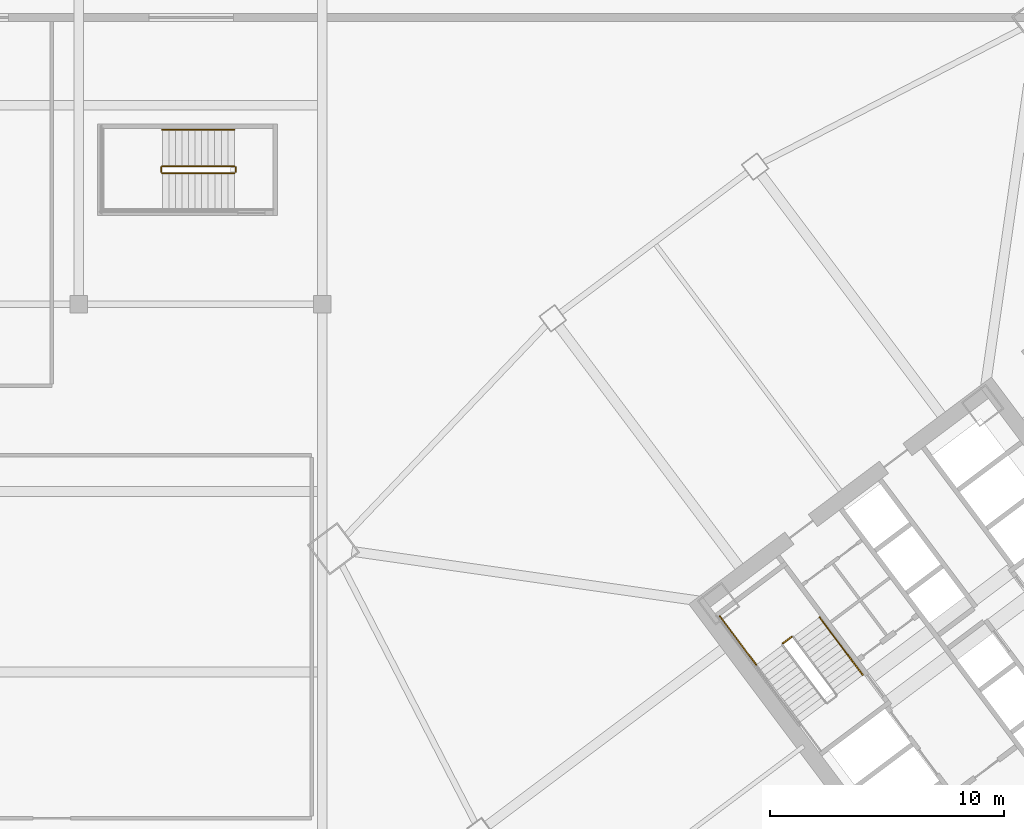
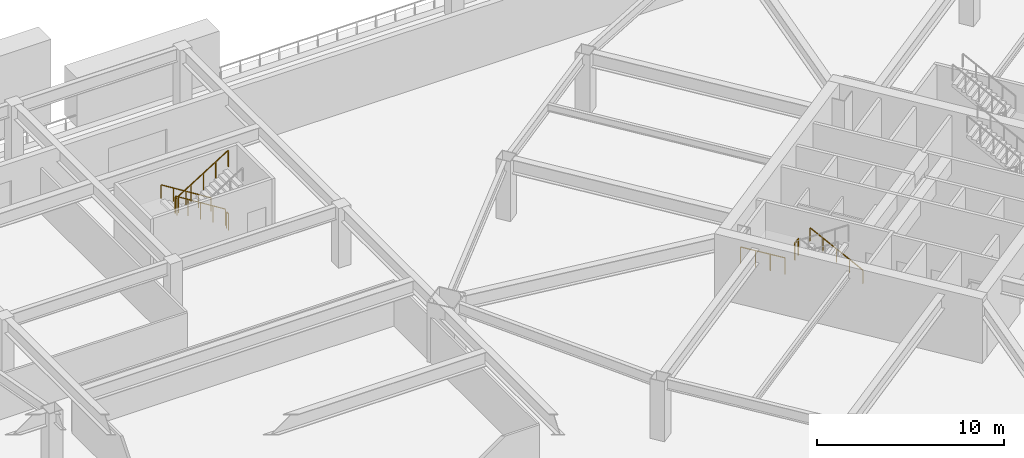
# One storey, part 18 of 20: 8 railings.
"""IFC4 building model written with IfcOpenShell, lengths in metres."""

import ifcopenshell
import ifcopenshell.guid

model = None  # the IFC model being written
_history = None  # IfcOwnerHistory: only IFC2X3 demands one
_inside = {}  # id of a spatial element -> (the spatial element, [elements in it])
_under = {}  # id of a project, library or spatial element -> (it, [spatial elements below it])
_declared = {}  # id of a project -> (the project, [libraries it declares])
_typed = {}  # id of a type object -> (the type object, [elements of that type])
_made_of = {}  # id of a material, layer set ... -> (it, [elements and type objects made of it])


def new_model(schema):
    """Start an empty IFC model of exactly this schema.

    Asked for "IFC4X3", IfcOpenShell would pick the latest addendum, in which some entities
    have other attributes; the version numbers below select the first issue.
    IFC2X3 requires an IfcOwnerHistory on every rooted entity: one is made here for all.
    """
    global model, _history
    if schema == "IFC4X3":
        model = ifcopenshell.file(schema_version=(4, 3, 0, 0))
    else:
        model = ifcopenshell.file(schema=schema)
    _inside.clear()
    _under.clear()
    _declared.clear()
    _typed.clear()
    _made_of.clear()
    _history = None
    if model.schema == "IFC2X3":
        org = make("IfcOrganization", Name="unknown")
        user = make(
            "IfcPersonAndOrganization",
            ThePerson=make("IfcPerson", FamilyName="unknown"),
            TheOrganization=org,
        )
        app = make(
            "IfcApplication",
            ApplicationDeveloper=org,
            Version="unknown",
            ApplicationFullName="unknown",
            ApplicationIdentifier="unknown",
        )
        _history = make(
            "IfcOwnerHistory",
            OwningUser=user,
            OwningApplication=app,
            ChangeAction="ADDED",
            CreationDate=0,
        )
    return model


def make(cls, **values):
    """One entity of the class cls with the attributes given. An attribute that is None is left unset."""
    return model.create_entity(
        cls, **{name: value for name, value in values.items() if value is not None}
    )


def rooted(cls, **values):
    """An entity with a GlobalId (a new one), such as an element, a storey or a relation."""
    return make(cls, GlobalId=ifcopenshell.guid.new(), OwnerHistory=_history, **values)


def si_unit(unit_type, name, prefix=None):
    """IfcSIUnit, for example si_unit("LENGTHUNIT", "METRE", prefix="MILLI")."""
    return make("IfcSIUnit", UnitType=unit_type, Prefix=prefix, Name=name)


def assignment(units):
    """IfcUnitAssignment: the units of a project."""
    return None if units is None else make("IfcUnitAssignment", Units=units)


def point(xyz):
    """IfcCartesianPoint."""
    return None if xyz is None else make("IfcCartesianPoint", Coordinates=xyz)


def direction(xyz):
    """IfcDirection."""
    return None if xyz is None else make("IfcDirection", DirectionRatios=xyz)


def frame(location, z_axis=None, x_axis=None):
    """IfcAxis2Placement3D, a coordinate frame: its origin and axes. An axis left out is left unset."""
    return make(
        "IfcAxis2Placement3D",
        Location=point(location),
        Axis=direction(z_axis),
        RefDirection=direction(x_axis),
    )


def frame_2d(location, x_axis=None):
    """IfcAxis2Placement2D, a coordinate frame in the plane: its origin and x axis."""
    return make(
        "IfcAxis2Placement2D", Location=point(location), RefDirection=direction(x_axis)
    )


def origin():
    """The frame at (0, 0, 0) with its axes left unset."""
    return frame((0.0, 0.0, 0.0))


def origin_2d():
    """The frame at (0, 0) in the plane with its x axis left unset."""
    return frame_2d((0.0, 0.0))


def place(relative_to, where):
    """IfcLocalPlacement: puts the frame where relative to a parent placement (None: the world)."""
    return make(
        "IfcLocalPlacement", PlacementRelTo=relative_to, RelativePlacement=where
    )


def context(
    kind, dimensions, precision=None, world=None, true_north=None, identifier=None
):
    """IfcGeometricRepresentationContext, for example the 3D "Model" context."""
    return make(
        "IfcGeometricRepresentationContext",
        ContextIdentifier=identifier,
        ContextType=kind,
        CoordinateSpaceDimension=dimensions,
        Precision=precision,
        WorldCoordinateSystem=world,
        TrueNorth=true_north,
    )


def subcontext(parent, identifier, kind, view, scale=None):
    """IfcGeometricRepresentationSubContext, for example "Body" below "Model"."""
    return make(
        "IfcGeometricRepresentationSubContext",
        ContextIdentifier=identifier,
        ContextType=kind,
        ParentContext=parent,
        TargetScale=scale,
        TargetView=view,
    )


def project(units=None, contexts=None):
    """IfcProject with its units and contexts."""
    return rooted(
        "IfcProject",
        Name="project",
        RepresentationContexts=contexts,
        UnitsInContext=assignment(units),
    )


def spatial(cls, under=None, at=None, **own):
    """A site, building, storey or space (cls), placed at a placement, below another one or the project."""
    s = rooted(cls, ObjectPlacement=at, **own)
    if under is not None:
        _under.setdefault(under.id(), (under, []))[1].append(s)
    return s


def profile(cls, at=None, kind="AREA", **sizes):
    """A parametric profile (cls). Its sizes go by their IFC names, for example OverallWidth=200.0."""
    return make(cls, ProfileType=kind, Position=at, **sizes)


def rectangle(**sizes):
    """IfcRectangleProfileDef."""
    return profile("IfcRectangleProfileDef", **sizes)


def extrude(swept, where, along, depth):
    """IfcExtrudedAreaSolid: the profile swept, set in the frame where, extruded along a direction by depth."""
    return make(
        "IfcExtrudedAreaSolid",
        SweptArea=swept,
        Position=where,
        ExtrudedDirection=direction(along),
        Depth=depth,
    )


def shape(context_of_items, identifier, shape_type, items):
    """IfcShapeRepresentation: the items that make up one representation, for example the "Body"."""
    return make(
        "IfcShapeRepresentation",
        ContextOfItems=context_of_items,
        RepresentationIdentifier=identifier,
        RepresentationType=shape_type,
        Items=items,
    )


def material(Name=None, Category=None):
    """IfcMaterial."""
    return make("IfcMaterial", Name=Name, Category=Category)


def made_of(thing, what):
    """Note that an element or type object is made of a material, layer set ...; save() writes the relation."""
    if what is not None:
        _made_of.setdefault(what.id(), (what, []))[1].append(thing)
    return thing


def type_object(cls, material=None, **own):
    """A type object (cls), such as IfcWallType, which elements share."""
    return made_of(rooted(cls, **own), material)


def element(
    cls,
    number,
    at=None,
    inside=None,
    cuts=None,
    type_object=None,
    material=None,
    context=None,
    identifier="Body",
    shape_type=None,
    held_by="IfcProductDefinitionShape",
    body=None,
    shapes=None,
    **own,
):
    """One element of the class cls, such as IfcWall. Its Tag is "e" and its number.

    at: its placement. inside: the storey or other place that contains it. cuts: it is an
    opening in that element (IfcRelVoidsElement). A single representation is given by context,
    identifier, shape_type and body (its items); several are given by shapes. held_by: the class
    of the entity that holds the representations. save() writes the other relations.
    """
    e = rooted(cls, Tag="e%d" % number, ObjectPlacement=at, **own)
    if body is not None:
        shapes = [shape(context, identifier, shape_type, body)]
    if shapes is not None:
        e.Representation = make(held_by, Representations=shapes)
    if inside is not None:
        _inside.setdefault(inside.id(), (inside, []))[1].append(e)
    if cuts is not None:
        rooted(
            "IfcRelVoidsElement", RelatingBuildingElement=cuts, RelatedOpeningElement=e
        )
    if type_object is not None:
        _typed.setdefault(type_object.id(), (type_object, []))[1].append(e)
    return made_of(e, material)


def aggregate(whole, parts):
    """IfcRelAggregates: a whole, such as a stair, and the parts it consists of."""
    return rooted("IfcRelAggregates", RelatingObject=whole, RelatedObjects=parts)


def save(model, path):
    """Write the relations noted so far, then the file.

    IfcRelAggregates (storeys below a building ...), IfcRelContainedInSpatialStructure (elements
    in a storey), IfcRelDefinesByType, IfcRelAssociatesMaterial and IfcRelDeclares: one each for
    every whole, place, type object, material and project.
    """
    for whole, parts in _under.values():
        aggregate(whole, parts)
    for where, things in _inside.values():
        rooted(
            "IfcRelContainedInSpatialStructure",
            RelatedElements=things,
            RelatingStructure=where,
        )
    for kind, things in _typed.values():
        rooted("IfcRelDefinesByType", RelatedObjects=things, RelatingType=kind)
    for what, things in _made_of.values():
        rooted("IfcRelAssociatesMaterial", RelatedObjects=things, RelatingMaterial=what)
    for by, libraries in _declared.values():
        rooted("IfcRelDeclares", RelatingContext=by, RelatedDefinitions=libraries)
    model.write(path)


model = new_model("IFC4")

# Units and contexts
model_context = context("Model", 3, precision=1e-05, world=origin(), true_north=direction((0.0, 1.0)))
body_context = subcontext(model_context, "Body", "Model", "MODEL_VIEW")
ifc_project = project(units=[si_unit("LENGTHUNIT", "METRE"), si_unit("AREAUNIT", "SQUARE_METRE"), si_unit("VOLUMEUNIT", "CUBIC_METRE"), si_unit("PLANEANGLEUNIT", "RADIAN"), si_unit("MASSUNIT", "GRAM", prefix="KILO")], contexts=[model_context])

# Site, building, storey
site_placement = place(None, origin())
site = spatial("IfcSite", under=ifc_project, at=site_placement, CompositionType="ELEMENT")
building_placement = place(site_placement, origin())
building = spatial("IfcBuilding", under=site, at=building_placement, Name="Tashvorn Skyway Center", CompositionType="ELEMENT")
storey_placement = place(building_placement, frame((0.0, 0.0, 15.60009765625)))
storey = spatial("IfcBuildingStorey", under=building, at=storey_placement, Name="L03", CompositionType="ELEMENT", Elevation=15.60009765625)

# Railings
ifc_material_1 = material(Name="Brushed stainless steel 316", Category="steel")
railing_type_1 = type_object("IfcRailingType", Name="RAIL-HAND-920", PredefinedType="HANDRAIL", material=ifc_material_1)
railing_1_placement = place(storey_placement, frame((110.2880859375, 30.365966796875, 0.1748046875)))
element("IfcRailing", 1, at=railing_1_placement, inside=storey, type_object=railing_type_1, Name="L03 ST-T2-1 stair handrail 1", PredefinedType="HANDRAIL", context=body_context, shape_type="SweptSolid", body=[
    extrude(rectangle(XDim=0.048095703125, YDim=0.048095703125, at=origin_2d()), frame((0.0, 0.0, 0.8759765625), z_axis=(-0.508814267955, 0.678396619085, 0.529986856384), x_axis=(-0.79999048847, -0.600012681831, 0.0)), (0.0, 0.0, 1.0), 3.63232421875),
    extrude(rectangle(XDim=0.0419921875, YDim=0.0419921875, at=origin_2d()), origin(), (0.0, 0.0, 1.0), 0.851806640625),
    extrude(rectangle(XDim=0.0419921875, YDim=0.0419921875, at=origin_2d()), frame((-0.4619140625, 0.615966796875, 0.481201171875)), (0.0, 0.0, 1.0), 0.851806640625),
    extrude(rectangle(XDim=0.0419921875, YDim=0.0419921875, at=origin_2d()), frame((-0.924072265625, 1.23193359375, 0.96240234375)), (0.0, 0.0, 1.0), 0.851806640625),
    extrude(rectangle(XDim=0.0419921875, YDim=0.0419921875, at=origin_2d()), frame((-1.38623046875, 1.84814453125, 1.44384765625)), (0.0, 0.0, 1.0), 0.851806640625),
    extrude(rectangle(XDim=0.0419921875, YDim=0.0419921875, at=origin_2d()), frame((-1.84814453125, 2.464111328125, 1.925048828125)), (0.0, 0.0, 1.0), 0.851806640625),
])
railing_2_placement = place(storey_placement, frame((83.449951171875, 53.64990234375, 0.1748046875)))
element("IfcRailing", 2, at=railing_2_placement, inside=storey, type_object=railing_type_1, Name="L03 ST-POD-2 stair handrail 1", PredefinedType="HANDRAIL", context=body_context, shape_type="SweptSolid", body=[
    extrude(rectangle(XDim=0.048095703125, YDim=0.048095703125, at=origin_2d()), frame((0.0, 0.0, 0.8759765625), z_axis=(-0.847979421464, 0.0, 0.530029150871), x_axis=(0.0, -1.0, 0.0)), (0.0, 0.0, 1.0), 3.632080078125),
    extrude(rectangle(XDim=0.0419921875, YDim=0.0419921875, at=origin_2d()), origin(), (0.0, 0.0, 1.0), 0.851806640625),
    extrude(rectangle(XDim=0.0419921875, YDim=0.0419921875, at=origin_2d()), frame((-0.77001953125, 0.0, 0.481201171875)), (0.0, 0.0, 1.0), 0.851806640625),
    extrude(rectangle(XDim=0.0419921875, YDim=0.0419921875, at=origin_2d()), frame((-1.5400390625, 0.0, 0.96240234375)), (0.0, 0.0, 1.0), 0.851806640625),
    extrude(rectangle(XDim=0.0419921875, YDim=0.0419921875, at=origin_2d()), frame((-2.309814453125, 0.0, 1.44384765625)), (0.0, 0.0, 1.0), 0.851806640625),
    extrude(rectangle(XDim=0.0419921875, YDim=0.0419921875, at=origin_2d()), frame((-3.079833984375, 0.0, 1.925048828125)), (0.0, 0.0, 1.0), 0.851806640625),
])
ifc_material_2 = material(Name="Painted galvanized steel S355", Category="steel")
railing_type_2 = type_object("IfcRailingType", Name="RAIL-STGUARD-1100", PredefinedType="GUARDRAIL", material=ifc_material_2)
railing_3_placement = place(storey_placement, frame((107.25, 32.0, 2.099853515625)))
element("IfcRailing", 3, at=railing_3_placement, inside=storey, type_object=railing_type_2, Name="L03 ST-T2-1 stair guard 2", PredefinedType="GUARDRAIL", context=body_context, shape_type="SweptSolid", body=[
    extrude(rectangle(XDim=0.048095703125, YDim=0.048095703125, at=origin_2d()), frame((0.0, 0.0, 1.076171875), z_axis=(-0.799938970639, -0.600081363861, 0.0), x_axis=(0.600081363861, -0.799938970639, 0.0)), (0.0, 0.0, 1.0), 0.47998046875),
    extrude(rectangle(XDim=0.0419921875, YDim=0.0419921875, at=origin_2d()), origin(), (0.0, 0.0, 1.0), 1.052001953125),
    extrude(rectangle(XDim=0.0419921875, YDim=0.0419921875, at=origin_2d()), frame((-0.384033203125, -0.2880859375, 0.0)), (0.0, 0.0, 1.0), 1.052001953125),
])
railing_4_placement = place(storey_placement, frame((105.736083984375, 30.802001953125, 2.099853515625)))
element("IfcRailing", 4, at=railing_4_placement, inside=storey, type_object=railing_type_2, Name="L03 ST-T2-1 stair guard 3", PredefinedType="GUARDRAIL", context=body_context, shape_type="SweptSolid", body=[
    extrude(rectangle(XDim=0.048095703125, YDim=0.048095703125, at=origin_2d()), frame((0.0, 0.0, 1.076171875), z_axis=(-0.6, 0.8, 0.0), x_axis=(-0.8, -0.6, 0.0)), (0.0, 0.0, 1.0), 2.60009765625),
    extrude(rectangle(XDim=0.0419921875, YDim=0.0419921875, at=origin_2d()), origin(), (0.0, 0.0, 1.0), 1.052001953125),
    extrude(rectangle(XDim=0.0419921875, YDim=0.0419921875, at=origin_2d()), frame((-0.52001953125, 0.693359375, 0.0)), (0.0, 0.0, 1.0), 1.052001953125),
    extrude(rectangle(XDim=0.0419921875, YDim=0.0419921875, at=origin_2d()), frame((-1.0400390625, 1.38671875, 0.0)), (0.0, 0.0, 1.0), 1.052001953125),
    extrude(rectangle(XDim=0.0419921875, YDim=0.0419921875, at=origin_2d()), frame((-1.56005859375, 2.080078125, 0.0)), (0.0, 0.0, 1.0), 1.052001953125),
])
railing_5_placement = place(storey_placement, frame((83.449951171875, 52.10009765625, 0.1748046875)))
element("IfcRailing", 5, at=railing_5_placement, inside=storey, type_object=railing_type_2, Name="L03 ST-POD-2 stair guard 1", PredefinedType="GUARDRAIL", context=body_context, shape_type="SweptSolid", body=[
    extrude(rectangle(XDim=0.048095703125, YDim=0.048095703125, at=origin_2d()), frame((0.0, 0.0, 1.076171875), z_axis=(-0.847979421464, 0.0, 0.530029150871), x_axis=(0.0, -1.0, 0.0)), (0.0, 0.0, 1.0), 3.632080078125),
    extrude(rectangle(XDim=0.0419921875, YDim=0.0419921875, at=origin_2d()), origin(), (0.0, 0.0, 1.0), 1.052001953125),
    extrude(rectangle(XDim=0.0419921875, YDim=0.0419921875, at=origin_2d()), frame((-0.77001953125, 0.0, 0.481201171875)), (0.0, 0.0, 1.0), 1.052001953125),
    extrude(rectangle(XDim=0.0419921875, YDim=0.0419921875, at=origin_2d()), frame((-1.5400390625, 0.0, 0.96240234375)), (0.0, 0.0, 1.0), 1.052001953125),
    extrude(rectangle(XDim=0.0419921875, YDim=0.0419921875, at=origin_2d()), frame((-2.309814453125, 0.0, 1.44384765625)), (0.0, 0.0, 1.0), 1.052001953125),
    extrude(rectangle(XDim=0.0419921875, YDim=0.0419921875, at=origin_2d()), frame((-3.079833984375, 0.0, 1.925048828125)), (0.0, 0.0, 1.0), 1.052001953125),
])
railing_6_placement = place(storey_placement, frame((80.320068359375, 52.050048828125, 2.099853515625)))
element("IfcRailing", 6, at=railing_6_placement, inside=storey, type_object=railing_type_2, Name="L03 ST-POD-2 stair guard 2", PredefinedType="GUARDRAIL", context=body_context, shape_type="SweptSolid", body=[
    extrude(rectangle(XDim=0.048095703125, YDim=0.048095703125, at=origin_2d()), frame((0.0, 0.0, 1.076171875), z_axis=(0.0, -1.0, 0.0), x_axis=(1.0, 0.0, 0.0)), (0.0, 0.0, 1.0), 0.199951171875),
    extrude(rectangle(XDim=0.0419921875, YDim=0.0419921875, at=origin_2d()), origin(), (0.0, 0.0, 1.0), 1.052001953125),
    extrude(rectangle(XDim=0.0419921875, YDim=0.0419921875, at=origin_2d()), frame((0.0, -0.199951171875, 0.0)), (0.0, 0.0, 1.0), 1.052001953125),
])
railing_7_placement = place(storey_placement, frame((80.3701171875, 51.800048828125, 2.27490234375)))
element("IfcRailing", 7, at=railing_7_placement, inside=storey, type_object=railing_type_2, Name="L03 ST-POD-2 stair guard 5", PredefinedType="GUARDRAIL", context=body_context, shape_type="SweptSolid", body=[
    extrude(rectangle(XDim=0.048095703125, YDim=0.048095703125, at=origin_2d()), frame((0.0, 0.0, 1.076171875), z_axis=(0.847979421464, 0.0, 0.530029150871), x_axis=(0.0, 1.0, 0.0)), (0.0, 0.0, 1.0), 3.632080078125),
    extrude(rectangle(XDim=0.0419921875, YDim=0.0419921875, at=origin_2d()), origin(), (0.0, 0.0, 1.0), 1.052001953125),
    extrude(rectangle(XDim=0.0419921875, YDim=0.0419921875, at=origin_2d()), frame((0.77001953125, 0.0, 0.481201171875)), (0.0, 0.0, 1.0), 1.052001953125),
    extrude(rectangle(XDim=0.0419921875, YDim=0.0419921875, at=origin_2d()), frame((1.5400390625, 0.0, 0.96240234375)), (0.0, 0.0, 1.0), 1.052001953125),
    extrude(rectangle(XDim=0.0419921875, YDim=0.0419921875, at=origin_2d()), frame((2.309814453125, 0.0, 1.44384765625)), (0.0, 0.0, 1.0), 1.052001953125),
    extrude(rectangle(XDim=0.0419921875, YDim=0.0419921875, at=origin_2d()), frame((3.079833984375, 0.0, 1.925048828125)), (0.0, 0.0, 1.0), 1.052001953125),
])
railing_8_placement = place(storey_placement, frame((83.5, 52.050048828125, 0.0)))
element("IfcRailing", 8, at=railing_8_placement, inside=storey, type_object=railing_type_2, Name="L03 ST-POD-2 stair guard 6", PredefinedType="GUARDRAIL", context=body_context, shape_type="SweptSolid", body=[
    extrude(rectangle(XDim=0.048095703125, YDim=0.048095703125, at=origin_2d()), frame((0.0, 0.0, 1.076171875), z_axis=(0.0, -1.0, 0.0), x_axis=(1.0, 0.0, 0.0)), (0.0, 0.0, 1.0), 0.199951171875),
    extrude(rectangle(XDim=0.0419921875, YDim=0.0419921875, at=origin_2d()), origin(), (0.0, 0.0, 1.0), 1.052001953125),
    extrude(rectangle(XDim=0.0419921875, YDim=0.0419921875, at=origin_2d()), frame((0.0, -0.199951171875, 0.0)), (0.0, 0.0, 1.0), 1.052001953125),
])

save(model, "model.ifc")
